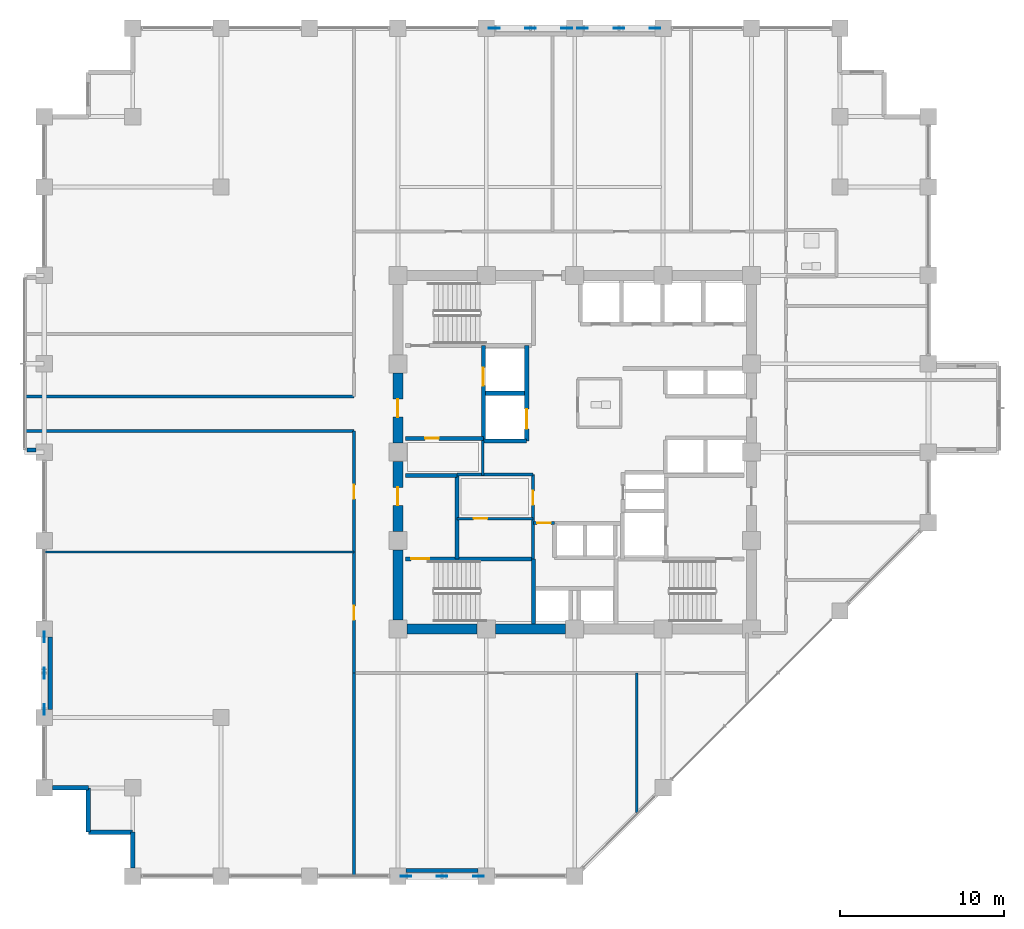
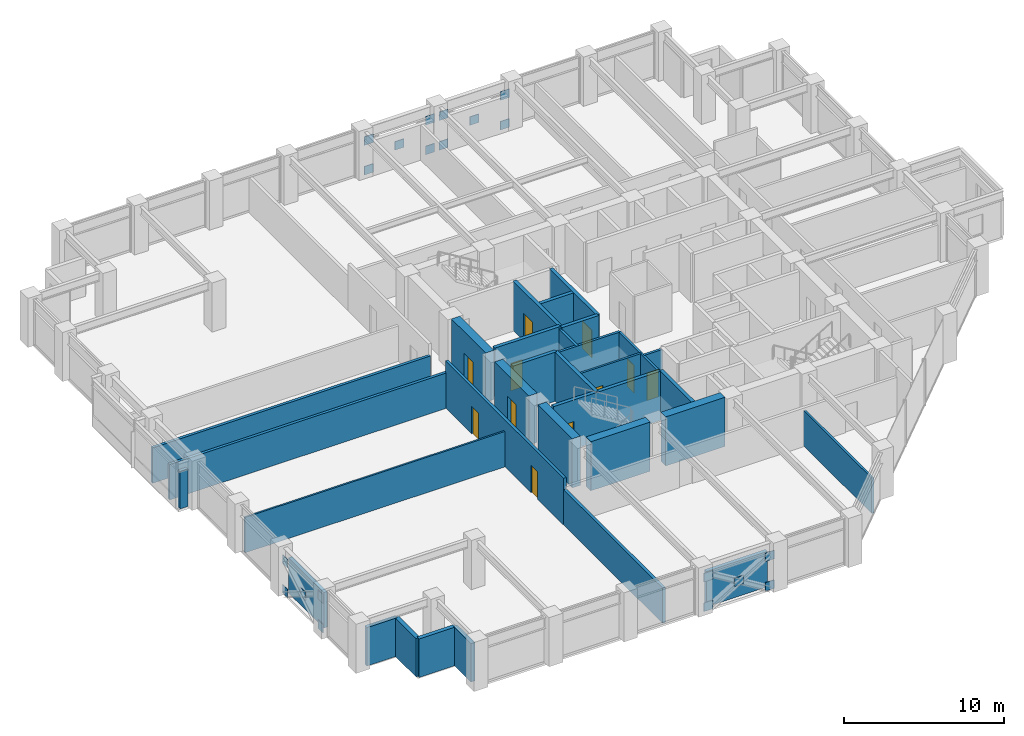
# One storey, part 19 of 26: 32 walls, 20 plates, 11 doors, 11 openings.
"""IFC4 building model written with IfcOpenShell, lengths in metres."""

from ifc_helpers import new_model, si_unit, direction, frame, frame_2d, origin, origin_2d, place, context, subcontext, project, spatial, rectangle, extrude, material, layer, layer_set, type_object, element, fill, save


model = new_model("IFC4")

# Units and contexts
model_context = context("Model", 3, precision=1e-05, world=origin(), true_north=direction((0.0, 1.0)))
body_context = subcontext(model_context, "Body", "Model", "MODEL_VIEW")
ifc_project = project(units=[si_unit("LENGTHUNIT", "METRE"), si_unit("AREAUNIT", "SQUARE_METRE"), si_unit("VOLUMEUNIT", "CUBIC_METRE"), si_unit("PLANEANGLEUNIT", "RADIAN"), si_unit("MASSUNIT", "GRAM", prefix="KILO")], contexts=[model_context])

# Site, building, storey
site_placement = place(None, origin())
site = spatial("IfcSite", under=ifc_project, at=site_placement, CompositionType="ELEMENT")
building_placement = place(site_placement, origin())
building = spatial("IfcBuilding", under=site, at=building_placement, Name="Surkhivell Harbour Commons", CompositionType="ELEMENT")
storey_placement = place(building_placement, frame((0.0, 0.0, 143.25)))
storey = spatial("IfcBuildingStorey", under=building, at=storey_placement, Name="L37", CompositionType="ELEMENT", Elevation=143.25)

# Plates
ifc_material_1 = material(Name="Steel S460", Category="steel")
ifc_layer_1 = layer(ifc_material_1, 0.044921875)
ifc_layer_set_1 = layer_set([ifc_layer_1], Name="Steel S460")
plate_type = type_object("IfcPlateType", Name="PLT-GUS-650", PredefinedType="USERDEFINED", material=ifc_layer_set_1)
for number, where, z_axis, x_axis, name in (
    (1, (-4.9150390625, 25.89990234375, -0.08935546875), (0.0, 0.0, 1.0), (1.0, 0.0, 0.0), "L37 Perimeter Mega-Brace MB- Corner Gusset N-1"),
    (2, (-0.485107421875, 25.89990234375, -0.08935546875), (0.0, 0.0, 1.0), (1.0, 0.0, 0.0), "L37 Perimeter Mega-Brace MB- Corner Gusset N-2"),
    (3, (-4.9150390625, 25.89990234375, 2.170654296875), (0.0, 0.0, 1.0), (1.0, 0.0, 0.0), "L37 Perimeter Mega-Brace MB- Corner Gusset N-3"),
    (4, (-0.485107421875, 25.89990234375, 2.170654296875), (0.0, 0.0, 1.0), (1.0, 0.0, 0.0), "L37 Perimeter Mega-Brace MB- Corner Gusset N-4"),
    (5, (-2.699951171875, 25.89990234375, 1.04052734375), (0.0, 0.0, 1.0), (1.0, 0.0, 0.0), "L37 Perimeter Mega-Brace MB- Central Crossing Gusset N"),
    (6, (0.485107421875, 25.89990234375, -0.08935546875), (0.0, 0.0, 1.0), (1.0, 0.0, 0.0), "L37 Perimeter Mega-Brace MB- Corner Gusset N2-1"),
    (7, (4.9150390625, 25.89990234375, -0.08935546875), (0.0, 0.0, 1.0), (1.0, 0.0, 0.0), "L37 Perimeter Mega-Brace MB- Corner Gusset N2-2"),
    (8, (0.485107421875, 25.89990234375, 2.170654296875), (0.0, 0.0, 1.0), (1.0, 0.0, 0.0), "L37 Perimeter Mega-Brace MB- Corner Gusset N2-3"),
    (9, (4.9150390625, 25.89990234375, 2.170654296875), (0.0, 0.0, 1.0), (1.0, 0.0, 0.0), "L37 Perimeter Mega-Brace MB- Corner Gusset N2-4"),
    (10, (2.699951171875, 25.89990234375, 1.04052734375), (0.0, 0.0, 1.0), (1.0, 0.0, 0.0), "L37 Perimeter Mega-Brace MB- Central Crossing Gusset N2"),
    (11, (-10.31494140625, -25.89990234375, -0.08935546875), (0.0, 0.0, 1.0), (1.0, 0.0, 0.0), "L37 Perimeter Mega-Brace MB- Corner Gusset S-1"),
    (12, (-5.885009765625, -25.89990234375, -0.08935546875), (0.0, 0.0, 1.0), (1.0, 0.0, 0.0), "L37 Perimeter Mega-Brace MB- Corner Gusset S-2"),
    (13, (-10.31494140625, -25.89990234375, 2.170654296875), (0.0, 0.0, 1.0), (1.0, 0.0, 0.0), "L37 Perimeter Mega-Brace MB- Corner Gusset S-3"),
    (14, (-5.885009765625, -25.89990234375, 2.170654296875), (0.0, 0.0, 1.0), (1.0, 0.0, 0.0), "L37 Perimeter Mega-Brace MB- Corner Gusset S-4"),
    (15, (-8.10009765625, -25.89990234375, 1.04052734375), (0.0, 0.0, 1.0), (1.0, 0.0, 0.0), "L37 Perimeter Mega-Brace MB- Central Crossing Gusset S"),
    (16, (-32.39990234375, -15.715087890625, -0.08935546875), (0.0, 0.0, 1.0), (0.0, 1.0, 0.0), "L37 Perimeter Mega-Brace MB- Corner Gusset W-1"),
    (17, (-32.39990234375, -11.284912109375, -0.08935546875), (0.0, 0.0, 1.0), (0.0, 1.0, 0.0), "L37 Perimeter Mega-Brace MB- Corner Gusset W-2"),
    (18, (-32.39990234375, -15.715087890625, 2.170654296875), (0.0, 0.0, 1.0), (0.0, 1.0, 0.0), "L37 Perimeter Mega-Brace MB- Corner Gusset W-3"),
    (19, (-32.39990234375, -11.284912109375, 2.170654296875), (0.0, 0.0, 1.0), (0.0, 1.0, 0.0), "L37 Perimeter Mega-Brace MB- Corner Gusset W-4"),
    (20, (-32.39990234375, -13.5, 1.04052734375), (0.0, 0.0, 1.0), (0.0, 1.0, 0.0), "L37 Perimeter Mega-Brace MB- Central Crossing Gusset W"),
):
    element("IfcPlate", number, at=place(storey_placement, frame(where, z_axis=z_axis, x_axis=x_axis)), inside=storey, type_object=plate_type, Name=name, ObjectType="GUSSET_PLATE", PredefinedType="USERDEFINED", context=body_context, shape_type="SweptSolid", body=[
        extrude(rectangle(XDim=0.64990234375, YDim=0.044921875, at=origin_2d()), origin(), (0.0, 0.0, 1.0), 0.64990234375),
    ])

# Walls
ifc_material_2 = material(Name="Concrete C60/75", Category="concrete")
ifc_layer_2 = layer(ifc_material_2, 0.60009765625)
ifc_layer_set_2 = layer_set([ifc_layer_2], Name="Concrete C60/75")
wall_type_1 = type_object("IfcWallType", Name="WAL-CORE-600", PredefinedType="SHEAR", material=ifc_layer_set_2)
for number, where, z_axis, x_axis, name in (
    (21, (-10.239990234375, -10.800048828125, 0.0), (0.0, 0.0, 1.0), (1.0, 0.0, 0.0), "L37 Core Shear Wall South 1"),
    (22, (-10.800048828125, -10.239990234375, 0.0), (0.0, 0.0, 1.0), (0.0, 1.0, 0.0), "L37 Core Shear Wall West 1"),
    (23, (-4.840087890625, -10.800048828125, 0.0), (0.0, 0.0, 1.0), (1.0, 0.0, 0.0), "L37 Core Shear Wall South 2"),
):
    element("IfcWall", number, at=place(storey_placement, frame(where, z_axis=z_axis, x_axis=x_axis)), inside=storey, type_object=wall_type_1, Name=name, PredefinedType="SHEAR", context=body_context, shape_type="SweptSolid", body=[
        extrude(rectangle(XDim=4.280029296875, YDim=0.60009765625, at=frame_2d((2.14013671875, 0.0))), origin(), (0.0, 0.0, 1.0), 3.75),
    ])

# Wall, opening, door
wall_1_placement = place(storey_placement, frame((-10.800048828125, -4.840087890625, 0.0), z_axis=(0.0, 0.0, 1.0), x_axis=(0.0, 1.0, 0.0)))
wall_1 = element("IfcWall", 24, at=wall_1_placement, inside=storey, type_object=wall_type_1, Name="L37 Core Shear Wall West 2", PredefinedType="SHEAR", context=body_context, shape_type="SweptSolid", body=[
    extrude(rectangle(XDim=4.280029296875, YDim=0.60009765625, at=frame_2d((2.14013671875, 0.0))), origin(), (0.0, 0.0, 1.0), 3.75),
])
opening_1_placement = place(wall_1_placement, frame((1.590087890625, 0.0, 0.0)))
opening_1 = element("IfcOpeningElement", 25, at=opening_1_placement, cuts=wall_1, Name="Opening ID-2", PredefinedType="OPENING", context=body_context, shape_type="SweptSolid", body=[
    extrude(rectangle(XDim=1.10009765625, YDim=2.10009765625, at=frame_2d((0.550048828125, 1.050048828125))), frame((0.0, 0.31005859375, 0.0), z_axis=(0.0, -1.0, 0.0), x_axis=(1.0, 0.0, 0.0)), (0.0, 0.0, 1.0), 0.6201171875),
])
ifc_material_3 = material(Name="Hardwood-veneered fire-rated door leaf", Category="wood")
door_type_1 = type_object("IfcDoorType", Name="DOR-FD60-1100", OperationType="NOTDEFINED", PredefinedType="DOOR", material=ifc_material_3)
door_1_placement = place(opening_1_placement, origin())
door_1 = element("IfcDoor", 26, at=door_1_placement, inside=storey, type_object=door_type_1, Name="L37 Stair 3 Lobby Corridor Door", OperationType="SINGLE_SWING_LEFT", OverallHeight=2.10009765625, OverallWidth=1.10009765625, PredefinedType="DOOR", context=body_context, shape_type="SweptSolid", body=[
    extrude(rectangle(XDim=1.10009765625, YDim=2.10009765625, at=frame_2d((0.550048828125, 1.050048828125))), frame((0.0, 0.02490234375, 0.0), z_axis=(0.0, -1.0, 0.0), x_axis=(1.0, 0.0, 0.0)), (0.0, 0.0, 1.0), 0.050048828125),
])
fill(opening_1, door_1)

wall_2_placement = place(storey_placement, frame((-10.800048828125, 0.56005859375, 0.0), z_axis=(0.0, 0.0, 1.0), x_axis=(0.0, 1.0, 0.0)))
wall_2 = element("IfcWall", 27, at=wall_2_placement, inside=storey, type_object=wall_type_1, Name="L37 Core Shear Wall West 3", PredefinedType="SHEAR", context=body_context, shape_type="SweptSolid", body=[
    extrude(rectangle(XDim=4.280029296875, YDim=0.60009765625, at=frame_2d((2.14013671875, 0.0))), origin(), (0.0, 0.0, 1.0), 3.75),
])
opening_2_placement = place(wall_2_placement, frame((1.590087890625, 0.0, 0.0)))
opening_2 = element("IfcOpeningElement", 28, at=opening_2_placement, cuts=wall_2, Name="Opening ID-1", PredefinedType="OPENING", context=body_context, shape_type="SweptSolid", body=[
    extrude(rectangle(XDim=1.10009765625, YDim=2.10009765625, at=frame_2d((0.550048828125, 1.050048828125))), frame((0.0, 0.31005859375, 0.0), z_axis=(0.0, -1.0, 0.0), x_axis=(1.0, 0.0, 0.0)), (0.0, 0.0, 1.0), 0.6201171875),
])
door_type_2 = type_object("IfcDoorType", Name="DOR-FD120-1100", OperationType="NOTDEFINED", PredefinedType="DOOR", material=ifc_material_3)
door_2_placement = place(opening_2_placement, origin())
door_2 = element("IfcDoor", 29, at=door_2_placement, inside=storey, type_object=door_type_2, Name="L37 Firefighting Lobby 1 Corridor Door", OperationType="SINGLE_SWING_LEFT", OverallHeight=2.10009765625, OverallWidth=1.10009765625, PredefinedType="DOOR", context=body_context, shape_type="SweptSolid", body=[
    extrude(rectangle(XDim=1.10009765625, YDim=2.10009765625, at=frame_2d((0.550048828125, 1.050048828125))), frame((0.0, 0.02490234375, 0.0), z_axis=(0.0, -1.0, 0.0), x_axis=(1.0, 0.0, 0.0)), (0.0, 0.0, 1.0), 0.050048828125),
])
fill(opening_2, door_2)

# Walls
ifc_material_4 = material(Name="Pale-metal insulated precast concrete C45/55", Category="concrete")
ifc_layer_3 = layer(ifc_material_4, 0.260009765625)
ifc_layer_set_3 = layer_set([ifc_layer_3], Name="Pale-metal insulated precast concrete C45/55")
wall_type_2 = type_object("IfcWallType", Name="WAL-EXT-MTL260", PredefinedType="STANDARD", material=ifc_layer_set_3)
wall_3_placement = place(storey_placement, frame((-10.302001953125, -25.5400390625, 0.0), z_axis=(0.0, 0.0, 1.0), x_axis=(1.0, 0.0, 0.0)))
element("IfcWall", 30, at=wall_3_placement, inside=storey, type_object=wall_type_2, Name="L37 Braced-Bay Insulated Spandrel Backing S", PredefinedType="STANDARD", context=body_context, shape_type="SweptSolid", body=[
    extrude(rectangle(XDim=4.404052734375, YDim=0.260009765625, at=frame_2d((2.2021484375, 0.0))), origin(), (0.0, 0.0, 1.0), 2.698974609375),
])
wall_4_placement = place(storey_placement, frame((-32.0400390625, -15.701904296875, 0.0), z_axis=(0.0, 0.0, 1.0), x_axis=(0.0, 1.0, 0.0)))
element("IfcWall", 31, at=wall_4_placement, inside=storey, type_object=wall_type_2, Name="L37 Braced-Bay Insulated Spandrel Backing W", PredefinedType="STANDARD", context=body_context, shape_type="SweptSolid", body=[
    extrude(rectangle(XDim=4.40380859375, YDim=0.260009765625, at=frame_2d((2.201904296875, 0.0))), origin(), (0.0, 0.0, 1.0), 2.698974609375),
])
ifc_material_5 = material(Name="Bronze-ochre cassette precast concrete C45/55", Category="concrete")
ifc_layer_4 = layer(ifc_material_5, 0.239990234375)
ifc_layer_set_4 = layer_set([ifc_layer_4], Name="Bronze-ochre cassette precast concrete C45/55")
wall_type_3 = type_object("IfcWallType", Name="WAL-EXT-OCH240", PredefinedType="STANDARD", material=ifc_layer_set_4)
wall_5_placement = place(storey_placement, frame((-33.4599609375, 0.139892578125, 0.0), z_axis=(0.0, 0.0, 1.0), x_axis=(1.0, 0.0, 0.0)))
element("IfcWall", 32, at=wall_5_placement, inside=storey, type_object=wall_type_3, Name="L37 Coloured Box Return Wall 02S", PredefinedType="STANDARD", context=body_context, shape_type="SweptSolid", body=[
    extrude(rectangle(XDim=0.555908203125, YDim=0.239990234375, at=frame_2d((0.27783203125, 0.0))), origin(), (0.0, 0.0, 1.0), 2.85693359375),
])
ifc_material_6 = material(Name="Terracotta-clad reinforced concrete C45/55", Category="masonry")
ifc_layer_5 = layer(ifc_material_6, 0.280029296875)
ifc_layer_set_5 = layer_set([ifc_layer_5], Name="Terracotta-clad reinforced concrete C45/55")
wall_type_4 = type_object("IfcWallType", Name="WAL-EXT-TER280", PredefinedType="STANDARD", material=ifc_layer_set_5)
wall_6_placement = place(storey_placement, frame((-31.902099609375, -20.5, 0.0), z_axis=(0.0, 0.0, 1.0), x_axis=(1.0, 0.0, 0.0)))
element("IfcWall", 33, at=wall_6_placement, inside=storey, type_object=wall_type_4, Name="L37 Serrated Corner Facade Wall 13", PredefinedType="STANDARD", context=body_context, shape_type="SweptSolid", body=[
    extrude(rectangle(XDim=2.2021484375, YDim=0.280029296875, at=frame_2d((1.10107421875, 0.0))), origin(), (0.0, 0.0, 1.0), 2.93310546875),
])
for number, where, z_axis, x_axis, name in (
    (34, (-29.699951171875, -20.5, 0.0), (0.0, 0.0, 1.0), (0.0, -1.0, 0.0), "L37 Serrated Corner Facade Wall 14"),
    (35, (-29.699951171875, -23.199951171875, 0.0), (0.0, 0.0, 1.0), (1.0, 0.0, 0.0), "L37 Serrated Corner Facade Wall 15"),
):
    element("IfcWall", number, at=place(storey_placement, frame(where, z_axis=z_axis, x_axis=x_axis)), inside=storey, type_object=wall_type_4, Name=name, PredefinedType="STANDARD", context=body_context, shape_type="SweptSolid", body=[
        extrude(rectangle(XDim=2.699951171875, YDim=0.280029296875, at=frame_2d((1.35009765625, 0.0))), origin(), (0.0, 0.0, 1.0), 2.93310546875),
    ])
wall_7_placement = place(storey_placement, frame((-27.0, -23.199951171875, 0.0), z_axis=(0.0, 0.0, 1.0), x_axis=(0.0, -1.0, 0.0)))
element("IfcWall", 36, at=wall_7_placement, inside=storey, type_object=wall_type_4, Name="L37 Serrated Corner Facade Wall 16", PredefinedType="STANDARD", context=body_context, shape_type="SweptSolid", body=[
    extrude(rectangle(XDim=2.2021484375, YDim=0.280029296875, at=frame_2d((1.10107421875, 0.0))), origin(), (0.0, 0.0, 1.0), 2.93310546875),
])
ifc_material_7 = material(Name="Moisture-resistant acoustic stud partition", Category="other")
ifc_layer_6 = layer(ifc_material_7, 0.125)
ifc_layer_set_6 = layer_set([ifc_layer_6], Name="Moisture-resistant acoustic stud partition")
wall_type_5 = type_object("IfcWallType", Name="WAL-INT-125", PredefinedType="PARTITIONING", material=ifc_layer_set_6)
wall_8_placement = place(storey_placement, frame((-32.340087890625, -6.090087890625, 0.0), z_axis=(0.0, 0.0, 1.0), x_axis=(1.0, 0.0, 0.0)))
element("IfcWall", 37, at=wall_8_placement, inside=storey, type_object=wall_type_5, Name="L37 South-West Partition P1", PredefinedType="PARTITIONING", context=body_context, shape_type="SweptSolid", body=[
    extrude(rectangle(XDim=18.860107421875, YDim=0.125, at=frame_2d((9.43017578125, 0.0))), origin(), (0.0, 0.0, 1.0), 2.698974609375),
])

# Wall, opening, door
ifc_material_8 = material(Name="Twin-stud acoustic fireboard partition", Category="other")
ifc_layer_7 = layer(ifc_material_8, 0.14990234375)
ifc_layer_set_7 = layer_set([ifc_layer_7], Name="Twin-stud acoustic fireboard partition")
wall_type_6 = type_object("IfcWallType", Name="WAL-INT-150", PredefinedType="PARTITIONING", material=ifc_layer_set_7)
wall_9_placement = place(storey_placement, frame((-7.179931640625, -4.050048828125, 0.0), z_axis=(0.0, 0.0, 1.0), x_axis=(1.0, 0.0, 0.0)))
wall_9 = element("IfcWall", 38, at=wall_9_placement, inside=storey, type_object=wall_type_6, Name="L37 Core Cut A Partition", PredefinedType="PARTITIONING", context=body_context, shape_type="SweptSolid", body=[
    extrude(rectangle(XDim=4.6298828125, YDim=0.14990234375, at=frame_2d((2.31494140625, 0.0))), origin(), (0.0, 0.0, 1.0), 3.570068359375),
])
opening_3_placement = place(wall_9_placement, frame((1.0, 0.0, 0.0)))
opening_3 = element("IfcOpeningElement", 39, at=opening_3_placement, cuts=wall_9, Name="Opening ID-6", PredefinedType="OPENING", context=body_context, shape_type="SweptSolid", body=[
    extrude(rectangle(XDim=0.85009765625, YDim=2.10009765625, at=frame_2d((0.425048828125, 1.050048828125))), frame((0.0, 0.0849609375, 0.0), z_axis=(0.0, -1.0, 0.0), x_axis=(1.0, 0.0, 0.0)), (0.0, 0.0, 1.0), 0.169921875),
])
door_type_3 = type_object("IfcDoorType", Name="DOR-FD30-850", OperationType="NOTDEFINED", PredefinedType="DOOR", material=ifc_material_3)
door_3_placement = place(opening_3_placement, origin())
door_3 = element("IfcDoor", 40, at=door_3_placement, inside=storey, type_object=door_type_3, Name="L37 Linen Room Door", OperationType="SINGLE_SWING_RIGHT", OverallHeight=2.10009765625, OverallWidth=0.85009765625, PredefinedType="DOOR", context=body_context, shape_type="SweptSolid", body=[
    extrude(rectangle(XDim=0.85009765625, YDim=2.10009765625, at=frame_2d((0.425048828125, 1.050048828125))), frame((0.0, 0.02490234375, 0.0), z_axis=(0.0, -1.0, 0.0), x_axis=(1.0, 0.0, 0.0)), (0.0, 0.0, 1.0), 0.050048828125),
])
fill(opening_3, door_3)

# Wall
wall_10_placement = place(storey_placement, frame((3.800048828125, -22.01513671875, 0.0), z_axis=(0.0, 0.0, 1.0), x_axis=(0.0, 1.0, 0.0)))
element("IfcWall", 41, at=wall_10_placement, inside=storey, type_object=wall_type_6, Name="L37 South Partition P1", PredefinedType="PARTITIONING", context=body_context, shape_type="SweptSolid", body=[
    extrude(rectangle(XDim=8.53515625, YDim=0.14990234375, at=frame_2d((4.267578125, 0.0))), origin(), (0.0, 0.0, 1.0), 2.698974609375),
])

# Wall, opening, door
ifc_material_9 = material(Name="High-density acoustic blockwork fire partition", Category="masonry")
ifc_layer_8 = layer(ifc_material_9, 0.175048828125)
ifc_layer_set_8 = layer_set([ifc_layer_8], Name="High-density acoustic blockwork fire partition")
wall_type_7 = type_object("IfcWallType", Name="WAL-INT-175", PredefinedType="PARTITIONING", material=ifc_layer_set_8)
wall_11_placement = place(storey_placement, frame((-2.550048828125, -6.510009765625, 0.0), z_axis=(0.0, 0.0, 1.0), x_axis=(0.0, 1.0, 0.0)))
wall_11 = element("IfcWall", 42, at=wall_11_placement, inside=storey, type_object=wall_type_7, Name="L37 Core Service Bay East Wall", PredefinedType="PARTITIONING", context=body_context, shape_type="SweptSolid", body=[
    extrude(rectangle(XDim=5.159912109375, YDim=0.175048828125, at=frame_2d((2.580078125, 0.0))), origin(), (0.0, 0.0, 1.0), 3.570068359375),
])
opening_4_placement = place(wall_11_placement, frame((3.300048828125, 0.0, 0.0)))
opening_4 = element("IfcOpeningElement", 43, at=opening_4_placement, cuts=wall_11, Name="Opening ID-6", PredefinedType="OPENING", context=body_context, shape_type="SweptSolid", body=[
    extrude(rectangle(XDim=0.85009765625, YDim=2.10009765625, at=frame_2d((0.425048828125, 1.050048828125))), frame((0.0, 0.097412109375, 0.0), z_axis=(0.0, -1.0, 0.0), x_axis=(1.0, 0.0, 0.0)), (0.0, 0.0, 1.0), 0.195068359375),
])
door_4_placement = place(opening_4_placement, origin())
door_4 = element("IfcDoor", 44, at=door_4_placement, inside=storey, type_object=door_type_3, Name="L37 Core Reading Alcove Door", OperationType="SINGLE_SWING_LEFT", OverallHeight=2.10009765625, OverallWidth=0.85009765625, PredefinedType="DOOR", context=body_context, shape_type="SweptSolid", body=[
    extrude(rectangle(XDim=0.85009765625, YDim=2.10009765625, at=frame_2d((0.425048828125, 1.050048828125))), frame((0.0, 0.02490234375, 0.0), z_axis=(0.0, -1.0, 0.0), x_axis=(1.0, 0.0, 0.0)), (0.0, 0.0, 1.0), 0.050048828125),
])
fill(opening_4, door_4)

# Walls
wall_12_placement = place(storey_placement, frame((-7.179931640625, -1.35009765625, 0.0), z_axis=(0.0, 0.0, 1.0), x_axis=(1.0, 0.0, 0.0)))
element("IfcWall", 45, at=wall_12_placement, inside=storey, type_object=wall_type_7, Name="L37 Core Service Bay North Wall", PredefinedType="PARTITIONING", context=body_context, shape_type="SweptSolid", body=[
    extrude(rectangle(XDim=4.6298828125, YDim=0.175048828125, at=frame_2d((2.31494140625, 0.0))), origin(), (0.0, 0.0, 1.0), 3.570068359375),
])
wall_13_placement = place(storey_placement, frame((-5.6201171875, -1.419921875, 0.0), z_axis=(0.0, 0.0, 1.0), x_axis=(0.0, 1.0, 0.0)))
element("IfcWall", 46, at=wall_13_placement, inside=storey, type_object=wall_type_7, Name="L37 West Core Bay East Wall", PredefinedType="PARTITIONING", context=body_context, shape_type="SweptSolid", body=[
    extrude(rectangle(XDim=2.139892578125, YDim=0.175048828125, at=frame_2d((1.06982421875, 0.0))), origin(), (0.0, 0.0, 1.0), 3.570068359375),
])

# Wall, opening, door
wall_14_placement = place(storey_placement, frame((-2.52001953125, -4.320068359375, 0.0), z_axis=(0.0, 0.0, 1.0), x_axis=(1.0, 0.0, 0.0)))
wall_14 = element("IfcWall", 47, at=wall_14_placement, inside=storey, type_object=wall_type_7, Name="L37 High-Rise Lobby North Portal Wall", PredefinedType="PARTITIONING", context=body_context, shape_type="SweptSolid", body=[
    extrude(rectangle(XDim=1.300048828125, YDim=0.175048828125, at=frame_2d((0.64990234375, 0.0))), origin(), (0.0, 0.0, 1.0), 3.570068359375),
])
opening_5_placement = place(wall_14_placement, frame((0.219970703125, 0.0, 0.0)))
opening_5 = element("IfcOpeningElement", 48, at=opening_5_placement, cuts=wall_14, Name="Opening ID-6", PredefinedType="OPENING", context=body_context, shape_type="SweptSolid", body=[
    extrude(rectangle(XDim=0.85009765625, YDim=2.10009765625, at=frame_2d((0.425048828125, 1.050048828125))), frame((0.0, 0.097412109375, 0.0), z_axis=(0.0, -1.0, 0.0), x_axis=(1.0, 0.0, 0.0)), (0.0, 0.0, 1.0), 0.195068359375),
])
door_5_placement = place(opening_5_placement, origin())
door_5 = element("IfcDoor", 49, at=door_5_placement, inside=storey, type_object=door_type_3, Name="L37 High-Rise Lift Lobby North Door", OperationType="SINGLE_SWING_LEFT", OverallHeight=2.10009765625, OverallWidth=0.85009765625, PredefinedType="DOOR", context=body_context, shape_type="SweptSolid", body=[
    extrude(rectangle(XDim=0.85009765625, YDim=2.10009765625, at=frame_2d((0.425048828125, 1.050048828125))), frame((0.0, 0.02490234375, 0.0), z_axis=(0.0, -1.0, 0.0), x_axis=(1.0, 0.0, 0.0)), (0.0, 0.0, 1.0), 0.050048828125),
])
fill(opening_5, door_5)

# Walls
ifc_material_10 = material(Name="Autoclaved aerated concrete blockwork and fire plaster", Category="masonry")
ifc_layer_9 = layer(ifc_material_10, 0.199951171875)
ifc_layer_set_9 = layer_set([ifc_layer_9], Name="Autoclaved aerated concrete blockwork and fire plaster")
wall_type_8 = type_object("IfcWallType", Name="WAL-INT-200", PredefinedType="PARTITIONING", material=ifc_layer_set_9)
wall_15_placement = place(storey_placement, frame((-13.47998046875, -25.840087890625, 0.0), z_axis=(0.0, 0.0, 1.0), x_axis=(0.0, 1.0, 0.0)))
element("IfcWall", 50, at=wall_15_placement, inside=storey, type_object=wall_type_8, Name="L37 South-West Wing Corner Divider", PredefinedType="PARTITIONING", context=body_context, shape_type="SweptSolid", body=[
    extrude(rectangle(XDim=12.360107421875, YDim=0.199951171875, at=frame_2d((6.18017578125, 0.0))), origin(), (0.0, 0.0, 1.0), 2.698974609375),
])
for number, where, z_axis, x_axis, name in (
    (51, (-33.5400390625, 3.39990234375, 0.0), (0.0, 0.0, 1.0), (1.0, 0.0, 0.0), "L37 West Alcove North Wall"),
    (52, (-33.5400390625, 1.300048828125, 0.0), (0.0, 0.0, 1.0), (1.0, 0.0, 0.0), "L37 West Alcove South Wall"),
):
    element("IfcWall", number, at=place(storey_placement, frame(where, z_axis=z_axis, x_axis=x_axis)), inside=storey, type_object=wall_type_8, Name=name, PredefinedType="PARTITIONING", context=body_context, shape_type="SweptSolid", body=[
        extrude(rectangle(XDim=20.06005859375, YDim=0.199951171875, at=frame_2d((10.030029296875, 0.0))), origin(), (0.0, 0.0, 1.0), 2.698974609375),
    ])

# Wall, openings, doors
wall_16_placement = place(storey_placement, frame((-13.47998046875, -13.47998046875, 0.0), z_axis=(0.0, 0.0, 1.0), x_axis=(0.0, 1.0, 0.0)))
wall_16 = element("IfcWall", 53, at=wall_16_placement, inside=storey, type_object=wall_type_8, Name="L37 Corridor West-Lower Wall", PredefinedType="PARTITIONING", context=body_context, shape_type="SweptSolid", body=[
    extrude(rectangle(XDim=14.780029296875, YDim=0.199951171875, at=frame_2d((7.39013671875, 0.0))), origin(), (0.0, 0.0, 1.0), 3.570068359375),
])
opening_6_placement = place(wall_16_placement, frame((3.2451171875, 0.0, 0.0)))
opening_6 = element("IfcOpeningElement", 54, at=opening_6_placement, cuts=wall_16, Name="Opening ID-6", PredefinedType="OPENING", context=body_context, shape_type="SweptSolid", body=[
    extrude(rectangle(XDim=0.85009765625, YDim=2.10009765625, at=frame_2d((0.425048828125, 1.050048828125))), frame((0.0, 0.10986328125, 0.0), z_axis=(0.0, -1.0, 0.0), x_axis=(1.0, 0.0, 0.0)), (0.0, 0.0, 1.0), 0.219970703125),
])
opening_7_placement = place(wall_16_placement, frame((10.635009765625, 0.0, 0.0)))
opening_7 = element("IfcOpeningElement", 55, at=opening_7_placement, cuts=wall_16, Name="Opening ID-6", PredefinedType="OPENING", context=body_context, shape_type="SweptSolid", body=[
    extrude(rectangle(XDim=0.85009765625, YDim=2.10009765625, at=frame_2d((0.425048828125, 1.050048828125))), frame((0.0, 0.10986328125, 0.0), z_axis=(0.0, -1.0, 0.0), x_axis=(1.0, 0.0, 0.0)), (0.0, 0.0, 1.0), 0.219970703125),
])
door_6_placement = place(opening_6_placement, origin())
door_6 = element("IfcDoor", 56, at=door_6_placement, inside=storey, type_object=door_type_3, Name="L37 Campus Co-Op Bookshop South-West Door", OperationType="SINGLE_SWING_RIGHT", OverallHeight=2.10009765625, OverallWidth=0.85009765625, PredefinedType="DOOR", context=body_context, shape_type="SweptSolid", body=[
    extrude(rectangle(XDim=0.85009765625, YDim=2.10009765625, at=frame_2d((0.425048828125, 1.050048828125))), frame((0.0, 0.02490234375, 0.0), z_axis=(0.0, -1.0, 0.0), x_axis=(1.0, 0.0, 0.0)), (0.0, 0.0, 1.0), 0.050048828125),
])
fill(opening_6, door_6)
door_7_placement = place(opening_7_placement, origin())
door_7 = element("IfcDoor", 57, at=door_7_placement, inside=storey, type_object=door_type_3, Name="L37 Harbour Espresso Cafe Shop South-West Door", OperationType="SINGLE_SWING_LEFT", OverallHeight=2.10009765625, OverallWidth=0.85009765625, PredefinedType="DOOR", context=body_context, shape_type="SweptSolid", body=[
    extrude(rectangle(XDim=0.85009765625, YDim=2.10009765625, at=frame_2d((0.425048828125, 1.050048828125))), frame((0.0, 0.02490234375, 0.0), z_axis=(0.0, -1.0, 0.0), x_axis=(1.0, 0.0, 0.0)), (0.0, 0.0, 1.0), 0.050048828125),
])
fill(opening_7, door_7)

# Wall, opening, door
ifc_material_11 = material(Name="Concrete C50/60", Category="concrete")
ifc_layer_10 = layer(ifc_material_11, 0.25)
ifc_layer_set_10 = layer_set([ifc_layer_10], Name="Concrete C50/60")
wall_type_9 = type_object("IfcWallType", Name="WAL-SHAFT-250", PredefinedType="SHEAR", material=ifc_layer_set_10)
wall_17_placement = place(storey_placement, frame((-5.580078125, 0.719970703125, 0.0), z_axis=(0.0, 0.0, 1.0), x_axis=(0.0, 1.0, 0.0)))
wall_17 = element("IfcWall", 58, at=wall_17_placement, inside=storey, type_object=wall_type_9, Name="L37 Firefighting Lobby 1 East Shaft Wall", PredefinedType="SHEAR", context=body_context, shape_type="SweptSolid", body=[
    extrude(rectangle(XDim=5.7900390625, YDim=0.25, at=frame_2d((2.89501953125, 0.0))), origin(), (0.0, 0.0, 1.0), 3.75),
])
opening_8_placement = place(wall_17_placement, frame((3.35009765625, 0.0, 0.0)))
opening_8 = element("IfcOpeningElement", 59, at=opening_8_placement, cuts=wall_17, Name="Opening LD-1", PredefinedType="OPENING", context=body_context, shape_type="SweptSolid", body=[
    extrude(rectangle(XDim=1.10009765625, YDim=2.10009765625, at=frame_2d((0.550048828125, 1.050048828125))), frame((0.0, 0.135009765625, 0.0), z_axis=(0.0, -1.0, 0.0), x_axis=(1.0, 0.0, 0.0)), (0.0, 0.0, 1.0), 0.27001953125),
])
ifc_material_12 = material(Name="Brushed stainless steel S355", Category="steel")
door_type_4 = type_object("IfcDoorType", Name="DOR-LD-1100", OperationType="SLIDING_TO_LEFT", PredefinedType="DOOR", material=ifc_material_12)
door_8_placement = place(opening_8_placement, origin())
door_8 = element("IfcDoor", 60, at=door_8_placement, inside=storey, type_object=door_type_4, Name="L37 Lift Landing Door LD-FFL1", OperationType="SLIDING_TO_LEFT", OverallHeight=2.10009765625, OverallWidth=1.10009765625, PredefinedType="DOOR", context=body_context, shape_type="SweptSolid", body=[
    extrude(rectangle(XDim=1.10009765625, YDim=2.10009765625, at=frame_2d((0.550048828125, 1.050048828125))), frame((0.0, 0.02490234375, 0.0), z_axis=(0.0, -1.0, 0.0), x_axis=(1.0, 0.0, 0.0)), (0.0, 0.0, 1.0), 0.050048828125),
])
fill(opening_8, door_8)

wall_18_placement = place(storey_placement, frame((-10.340087890625, 0.85009765625, 0.0), z_axis=(0.0, 0.0, 1.0), x_axis=(1.0, 0.0, 0.0)))
wall_18 = element("IfcWall", 61, at=wall_18_placement, inside=storey, type_object=wall_type_9, Name="L37 Firefighting Lobby 1 South Wall", PredefinedType="SHEAR", context=body_context, shape_type="SweptSolid", body=[
    extrude(rectangle(XDim=4.760009765625, YDim=0.25, at=frame_2d((2.3798828125, 0.0))), origin(), (0.0, 0.0, 1.0), 3.75),
])
opening_9_placement = place(wall_18_placement, frame((1.199951171875, 0.0, 0.0)))
opening_9 = element("IfcOpeningElement", 62, at=opening_9_placement, cuts=wall_18, Name="Opening ID-6", PredefinedType="OPENING", context=body_context, shape_type="SweptSolid", body=[
    extrude(rectangle(XDim=0.85009765625, YDim=2.10009765625, at=frame_2d((0.425048828125, 1.050048828125))), frame((0.0, 0.135009765625, 0.0), z_axis=(0.0, -1.0, 0.0), x_axis=(1.0, 0.0, 0.0)), (0.0, 0.0, 1.0), 0.27001953125),
])
door_9_placement = place(opening_9_placement, origin())
door_9 = element("IfcDoor", 63, at=door_9_placement, inside=storey, type_object=door_type_3, Name="L37 West Quiet Study Door", OperationType="SINGLE_SWING_RIGHT", OverallHeight=2.10009765625, OverallWidth=0.85009765625, PredefinedType="DOOR", context=body_context, shape_type="SweptSolid", body=[
    extrude(rectangle(XDim=0.85009765625, YDim=2.10009765625, at=frame_2d((0.425048828125, 1.050048828125))), frame((0.0, 0.02490234375, 0.0), z_axis=(0.0, -1.0, 0.0), x_axis=(1.0, 0.0, 0.0)), (0.0, 0.0, 1.0), 0.050048828125),
])
fill(opening_9, door_9)

# Walls
wall_19_placement = place(storey_placement, frame((-2.510009765625, -10.5, 0.0), z_axis=(0.0, 0.0, 1.0), x_axis=(0.0, 1.0, 0.0)))
element("IfcWall", 64, at=wall_19_placement, inside=storey, type_object=wall_type_9, Name="L37 Stair ST3 East Shear Wall", PredefinedType="SHEAR", context=body_context, shape_type="SweptSolid", body=[
    extrude(rectangle(XDim=3.989990234375, YDim=0.25, at=frame_2d((1.9951171875, 0.0))), origin(), (0.0, 0.0, 1.0), 3.75),
])
wall_20_placement = place(storey_placement, frame((-7.179931640625, -6.510009765625, 0.0), z_axis=(0.0, 0.0, 1.0), x_axis=(0.0, 1.0, 0.0)))
element("IfcWall", 65, at=wall_20_placement, inside=storey, type_object=wall_type_9, Name="L37 Stair 3 Lobby East Wall", PredefinedType="SHEAR", context=body_context, shape_type="SweptSolid", body=[
    extrude(rectangle(XDim=5.090087890625, YDim=0.25, at=frame_2d((2.544921875, 0.0))), origin(), (0.0, 0.0, 1.0), 3.75),
])
wall_21_placement = place(storey_placement, frame((-10.340087890625, -1.419921875, 0.0), z_axis=(0.0, 0.0, 1.0), x_axis=(1.0, 0.0, 0.0)))
element("IfcWall", 66, at=wall_21_placement, inside=storey, type_object=wall_type_9, Name="L37 Stair 3 Lobby North Wall", PredefinedType="SHEAR", context=body_context, shape_type="SweptSolid", body=[
    extrude(rectangle(XDim=3.16015625, YDim=0.25, at=frame_2d((1.580078125, 0.0))), origin(), (0.0, 0.0, 1.0), 3.75),
])

# Wall, opening, door
wall_22_placement = place(storey_placement, frame((-10.340087890625, -6.510009765625, 0.0), z_axis=(0.0, 0.0, 1.0), x_axis=(1.0, 0.0, 0.0)))
wall_22 = element("IfcWall", 67, at=wall_22_placement, inside=storey, type_object=wall_type_9, Name="L37 Stair ST3 North Shear Wall", PredefinedType="SHEAR", context=body_context, shape_type="SweptSolid", body=[
    extrude(rectangle(XDim=7.7001953125, YDim=0.25, at=frame_2d((3.85009765625, 0.0))), origin(), (0.0, 0.0, 1.0), 3.75),
])
opening_10_placement = place(wall_22_placement, frame((0.35009765625, 0.0, 0.0)))
opening_10 = element("IfcOpeningElement", 68, at=opening_10_placement, cuts=wall_22, Name="Opening ID-2", PredefinedType="OPENING", context=body_context, shape_type="SweptSolid", body=[
    extrude(rectangle(XDim=1.10009765625, YDim=2.10009765625, at=frame_2d((0.550048828125, 1.050048828125))), frame((0.0, 0.135009765625, 0.0), z_axis=(0.0, -1.0, 0.0), x_axis=(1.0, 0.0, 0.0)), (0.0, 0.0, 1.0), 0.27001953125),
])
door_10_placement = place(opening_10_placement, origin())
door_10 = element("IfcDoor", 69, at=door_10_placement, inside=storey, type_object=door_type_1, Name="L37 Stair ST3 Exit Door", OperationType="SINGLE_SWING_RIGHT", OverallHeight=2.10009765625, OverallWidth=1.10009765625, PredefinedType="DOOR", context=body_context, shape_type="SweptSolid", body=[
    extrude(rectangle(XDim=1.10009765625, YDim=2.10009765625, at=frame_2d((0.550048828125, 1.050048828125))), frame((0.0, 0.02490234375, 0.0), z_axis=(0.0, -1.0, 0.0), x_axis=(1.0, 0.0, 0.0)), (0.0, 0.0, 1.0), 0.050048828125),
])
fill(opening_10, door_10)

wall_23_placement = place(storey_placement, frame((-2.929931640625, 0.679931640625, 0.0), z_axis=(0.0, 0.0, 1.0), x_axis=(0.0, 1.0, 0.0)))
wall_23 = element("IfcWall", 70, at=wall_23_placement, inside=storey, type_object=wall_type_9, Name="L37 Service and Fire Lift East Shaft Wall", PredefinedType="SHEAR", context=body_context, shape_type="SweptSolid", body=[
    extrude(rectangle(XDim=5.830078125, YDim=0.25, at=frame_2d((2.9150390625, 0.0))), origin(), (0.0, 0.0, 1.0), 3.75),
])
opening_11_placement = place(wall_23_placement, frame((0.75, 0.0, 0.0)))
opening_11 = element("IfcOpeningElement", 71, at=opening_11_placement, cuts=wall_23, Name="Opening LD-2", PredefinedType="OPENING", context=body_context, shape_type="SweptSolid", body=[
    extrude(rectangle(XDim=1.199951171875, YDim=2.10009765625, at=frame_2d((0.60009765625, 1.050048828125))), frame((0.0, 0.135009765625, 0.0), z_axis=(0.0, -1.0, 0.0), x_axis=(1.0, 0.0, 0.0)), (0.0, 0.0, 1.0), 0.27001953125),
])
door_type_5 = type_object("IfcDoorType", Name="DOR-LD-1200", OperationType="SLIDING_TO_LEFT", PredefinedType="DOOR", material=ifc_material_12)
door_11_placement = place(opening_11_placement, origin())
door_11 = element("IfcDoor", 72, at=door_11_placement, inside=storey, type_object=door_type_5, Name="L37 Lift Landing Door LD-SVL1", OperationType="SLIDING_TO_LEFT", OverallHeight=2.10009765625, OverallWidth=1.199951171875, PredefinedType="DOOR", context=body_context, shape_type="SweptSolid", body=[
    extrude(rectangle(XDim=1.199951171875, YDim=2.10009765625, at=frame_2d((0.60009765625, 1.050048828125))), frame((0.0, 0.02490234375, 0.0), z_axis=(0.0, -1.0, 0.0), x_axis=(1.0, 0.0, 0.0)), (0.0, 0.0, 1.0), 0.050048828125),
])
fill(opening_11, door_11)

# Walls
wall_24_placement = place(storey_placement, frame((-5.449951171875, 3.60009765625, 0.0), z_axis=(0.0, 0.0, 1.0), x_axis=(1.0, 0.0, 0.0)))
element("IfcWall", 73, at=wall_24_placement, inside=storey, type_object=wall_type_9, Name="L37 FFL1/SVL1 Shaft Divider", PredefinedType="SHEAR", context=body_context, shape_type="SweptSolid", body=[
    extrude(rectangle(XDim=2.389892578125, YDim=0.25, at=frame_2d((1.19482421875, 0.0))), origin(), (0.0, 0.0, 1.0), 3.75),
])
wall_25_placement = place(storey_placement, frame((-5.580078125, 0.679931640625, 0.0), z_axis=(0.0, 0.0, 1.0), x_axis=(1.0, 0.0, 0.0)))
element("IfcWall", 74, at=wall_25_placement, inside=storey, type_object=wall_type_9, Name="L37 SVL1 South Shaft Wall", PredefinedType="SHEAR", context=body_context, shape_type="SweptSolid", body=[
    extrude(rectangle(XDim=2.650146484375, YDim=0.25, at=frame_2d((1.3251953125, 0.0))), origin(), (0.0, 0.0, 1.0), 3.75),
])

save(model, "model.ifc")
